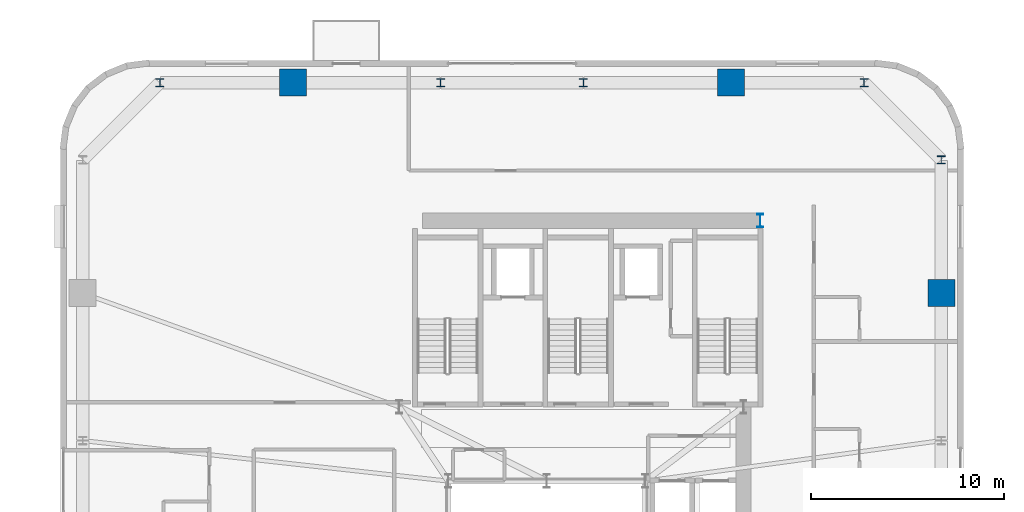
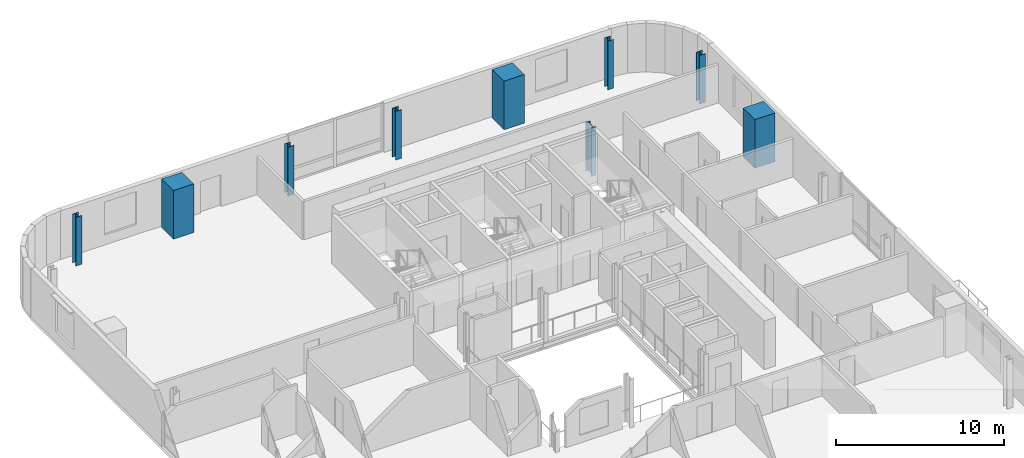
# One storey, part 2 of 12: 9 columns.
"""IFC4 building model written with IfcOpenShell, lengths in metres."""

from ifc_helpers import new_model, si_unit, direction, frame, origin, origin_2d, place, context, subcontext, project, spatial, rectangle, i_section, extrude, source, transform, mapped, material, material_profile, profile_set, type_object, element, save


model = new_model("IFC4")

# Units and contexts
model_context = context("Model", 3, precision=1e-05, world=origin(), true_north=direction((0.0, 1.0)))
body_context = subcontext(model_context, "Body", "Model", "MODEL_VIEW")
ifc_project = project(units=[si_unit("LENGTHUNIT", "METRE"), si_unit("AREAUNIT", "SQUARE_METRE"), si_unit("VOLUMEUNIT", "CUBIC_METRE"), si_unit("PLANEANGLEUNIT", "RADIAN"), si_unit("MASSUNIT", "GRAM", prefix="KILO")], contexts=[model_context])

# Site, building, storey
site_placement = place(None, origin())
site = spatial("IfcSite", under=ifc_project, at=site_placement, CompositionType="ELEMENT")
building_placement = place(site_placement, origin())
building = spatial("IfcBuilding", under=site, at=building_placement, Name="Vardaveli Station Tower", CompositionType="ELEMENT")
storey_placement = place(building_placement, frame((0.0, 0.0, 214.800048828125)))
storey = spatial("IfcBuildingStorey", under=building, at=storey_placement, Name="L55", CompositionType="ELEMENT", Elevation=214.800048828125)

# Columns
ifc_material_1 = material(Name="Structural steel S460M", Category="steel")
ifc_material_profile_1 = material_profile(ifc_material_1, i_section(OverallWidth=0.300048828125, OverallDepth=0.699951171875, WebThickness=0.01708984375, FlangeThickness=0.031982421875, FilletRadius=0.027099609375, at=origin_2d()), Name="HEB 700")
ifc_profile_set_1 = profile_set([ifc_material_profile_1], Name="Structural steel S460M")
column_type_1 = type_object("IfcColumnType", Name="COL-HEB700", PredefinedType="COLUMN", material=ifc_profile_set_1)
shared_shape_1 = source(origin(), body_context, "Body", "SweptSolid", [
    extrude(i_section(OverallWidth=0.300048828125, OverallDepth=0.699951171875, WebThickness=0.01708984375, FlangeThickness=0.031982421875, FilletRadius=0.027099609375, at=origin_2d()), origin(), (0.0, 0.0, 1.0), 3.530029296875),
])
column_placement = place(storey_placement, frame((47.3701171875, 40.300048828125, 0.0), z_axis=(0.0, 0.0, 1.0), x_axis=(1.0, 0.0, 0.0)))
element("IfcColumn", 1, at=column_placement, inside=storey, type_object=column_type_1, Name="COL-L55-CC3", PredefinedType="COLUMN", context=body_context, shape_type="MappedRepresentation", body=[
    mapped(shared_shape_1, transform((0.0, 0.0, 0.0), scale=1.0)),
])
ifc_material_2 = material(Name="Concrete C50/60", Category="concrete")
ifc_material_profile_2 = material_profile(ifc_material_2, rectangle(XDim=1.39990234375, YDim=1.39990234375, at=origin_2d()), Name="MC 1400x1400")
ifc_profile_set_2 = profile_set([ifc_material_profile_2], Name="Concrete C50/60")
column_type_2 = type_object("IfcColumnType", Name="COL-MC-1400", PredefinedType="COLUMN", material=ifc_profile_set_2)
shared_shape_2 = source(origin(), body_context, "Body", "SweptSolid", [
    extrude(rectangle(XDim=1.39990234375, YDim=1.39990234375, at=origin_2d()), origin(), (0.0, 0.0, 1.0), 3.530029296875),
])
for number, where, z_axis, x_axis, name in (
    (2, (56.75, 36.5400390625, 0.0), (0.0, 0.0, 1.0), (1.0, 0.0, 0.0), "COL-L55-MC4"),
    (3, (45.840087890625, 47.449951171875, 0.0), (0.0, 0.0, 1.0), (1.0, 0.0, 0.0), "COL-L55-MC5"),
    (4, (23.159912109375, 47.449951171875, 0.0), (0.0, 0.0, 1.0), (1.0, 0.0, 0.0), "COL-L55-MC6"),
):
    element("IfcColumn", number, at=place(storey_placement, frame(where, z_axis=z_axis, x_axis=x_axis)), inside=storey, type_object=column_type_2, Name=name, PredefinedType="COLUMN", context=body_context, shape_type="MappedRepresentation", body=[
        mapped(shared_shape_2, transform((0.0, 0.0, 0.0), scale=1.0)),
    ])
ifc_material_profile_3 = material_profile(ifc_material_1, i_section(OverallWidth=0.408935546875, OverallDepth=0.4169921875, WebThickness=0.021240234375, FlangeThickness=0.033203125, FilletRadius=0.014892578125, at=origin_2d()), Name="HD 400x347")
ifc_profile_set_3 = profile_set([ifc_material_profile_3], Name="Structural steel S460M")
column_type_3 = type_object("IfcColumnType", Name="COL-HD347", PredefinedType="COLUMN", material=ifc_profile_set_3)
shared_shape_3 = source(origin(), body_context, "Body", "SweptSolid", [
    extrude(i_section(OverallWidth=0.408935546875, OverallDepth=0.4169921875, WebThickness=0.021240234375, FlangeThickness=0.033203125, FilletRadius=0.014892578125, at=origin_2d()), origin(), (0.0, 0.0, 1.0), 3.530029296875),
])
for number, where, z_axis, x_axis, name in (
    (5, (56.75, 43.449951171875, 0.0), (0.0, 0.0, 1.0), (1.0, 0.0, 0.0), "COL-L55-PC08"),
    (6, (52.75, 47.449951171875, 0.0), (0.0, 0.0, 1.0), (1.0, 0.0, 0.0), "COL-L55-PC09"),
    (7, (38.199951171875, 47.449951171875, 0.0), (0.0, 0.0, 1.0), (1.0, 0.0, 0.0), "COL-L55-PC10"),
    (8, (30.800048828125, 47.449951171875, 0.0), (0.0, 0.0, 1.0), (1.0, 0.0, 0.0), "COL-L55-PC11"),
    (9, (16.25, 47.449951171875, 0.0), (0.0, 0.0, 1.0), (1.0, 0.0, 0.0), "COL-L55-PC12"),
):
    element("IfcColumn", number, at=place(storey_placement, frame(where, z_axis=z_axis, x_axis=x_axis)), inside=storey, type_object=column_type_3, Name=name, PredefinedType="COLUMN", context=body_context, shape_type="MappedRepresentation", body=[
        mapped(shared_shape_3, transform((0.0, 0.0, 0.0), scale=1.0)),
    ])

save(model, "model.ifc")
